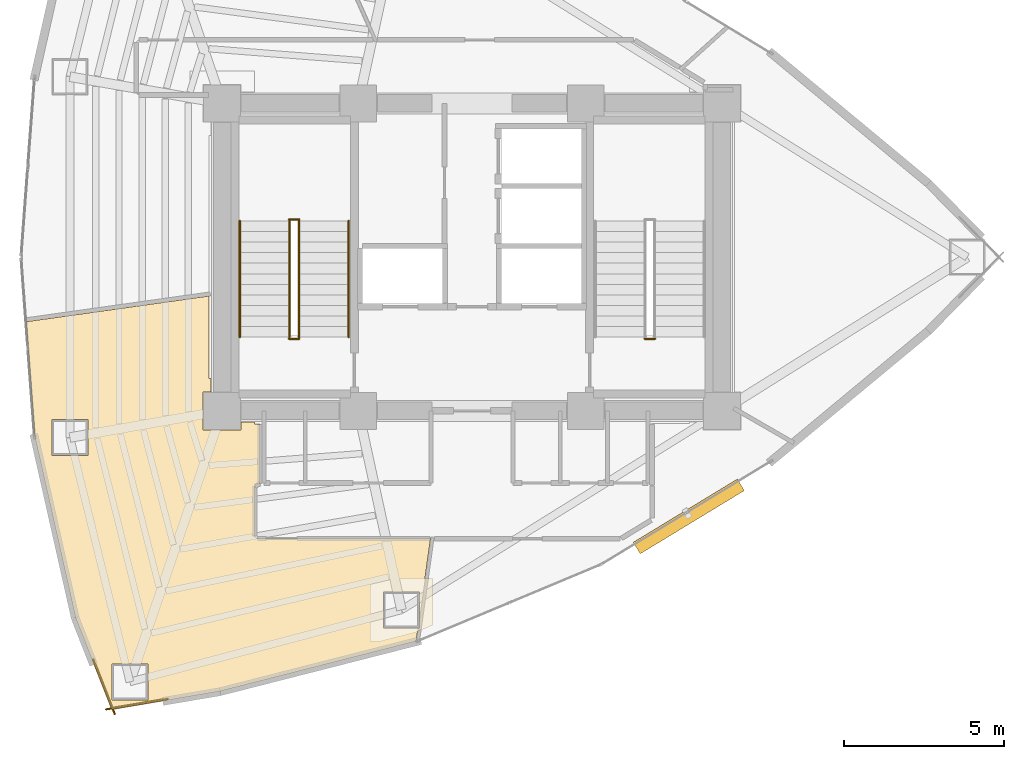
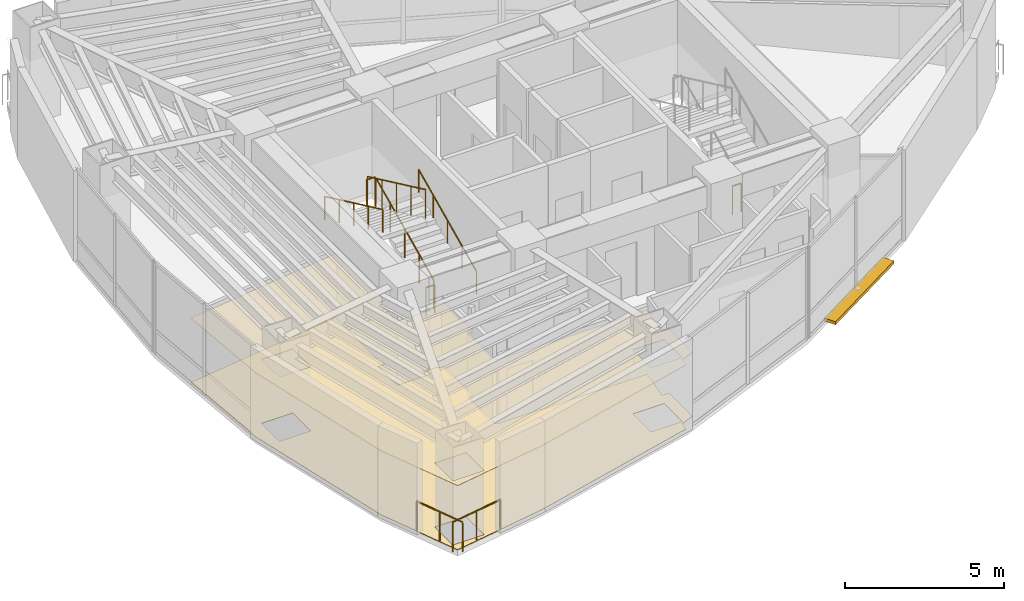
# One storey, part 13 of 15: 9 railings, 2 coverings, 1 shading device.
"""IFC4 building model written with IfcOpenShell, lengths in metres."""

from ifc_helpers import new_model, si_unit, direction, frame, origin, origin_2d, place, context, subcontext, project, spatial, polyline, rectangle, circle, outline, extrude, material, layer, layer_set, type_object, element, save


model = new_model("IFC4")

# Units and contexts
model_context = context("Model", 3, precision=1e-05, world=origin(), true_north=direction((0.0, 1.0)))
body_context = subcontext(model_context, "Body", "Model", "MODEL_VIEW")
ifc_project = project(units=[si_unit("LENGTHUNIT", "METRE"), si_unit("AREAUNIT", "SQUARE_METRE"), si_unit("VOLUMEUNIT", "CUBIC_METRE"), si_unit("PLANEANGLEUNIT", "RADIAN"), si_unit("MASSUNIT", "GRAM", prefix="KILO")], contexts=[model_context])

# Site, building, storey
site_placement = place(None, origin())
site = spatial("IfcSite", under=ifc_project, at=site_placement, CompositionType="ELEMENT")
building_placement = place(site_placement, origin())
building = spatial("IfcBuilding", under=site, at=building_placement, Name="Menara Vayukalpa", CompositionType="ELEMENT")
storey_placement = place(building_placement, frame((0.0, 0.0, 141.179931640625)))
storey = spatial("IfcBuildingStorey", under=building, at=storey_placement, Name="L35", CompositionType="ELEMENT", Elevation=141.179931640625)

# Coverings
ifc_material_1 = material(Name="Mineral Fibre Acoustic Ceiling Tile", Category="masonry")
ifc_layer_1 = layer(ifc_material_1, 0.02490234375)
ifc_layer_set_1 = layer_set([ifc_layer_1], Name="Mineral Fibre Acoustic Ceiling Tile")
covering_type_1 = type_object("IfcCoveringType", Name="COV-CLG1", PredefinedType="CEILING", material=ifc_layer_set_1)
covering_1_placement = place(storey_placement, frame((0.0, 0.0, 2.449951171875)))
element("IfcCovering", 1, at=covering_1_placement, inside=storey, type_object=covering_type_1, Name="L35 Operations Support Office Acoustic Ceiling", PredefinedType="CEILING", context=body_context, shape_type="SweptSolid", body=[
    extrude(outline(polyline([(24.3818359375, 10.514404296875), (23.896728515625, 10.3115234375), (23.85498046875, 10.013916015625), (23.854736328125, 10.012939453125), (23.8544921875, 10.01220703125), (23.85400390625, 10.01123046875), (23.853515625, 10.01025390625), (23.85302734375, 10.009521484375), (23.852294921875, 10.0087890625), (23.851806640625, 10.008056640625), (23.85107421875, 10.00732421875), (23.85009765625, 10.0068359375), (23.849365234375, 10.00634765625), (23.848388671875, 10.006103515625), (23.847412109375, 10.005615234375), (17.7314453125, 8.44580078125), (17.730712890625, 8.44580078125), (14.35986328125, 7.873291015625), (14.35888671875, 7.873291015625), (14.35791015625, 7.873291015625), (14.35693359375, 7.873291015625), (14.35595703125, 7.87353515625), (14.35498046875, 7.873779296875), (14.354248046875, 7.874267578125), (14.353271484375, 7.87451171875), (14.3525390625, 7.875), (14.351806640625, 7.875732421875), (14.35107421875, 7.87646484375), (14.350341796875, 7.877197265625), (14.349853515625, 7.8779296875), (14.349365234375, 7.87890625), (14.348876953125, 7.879638671875), (13.22607421875, 10.738525390625), (13.225830078125, 10.7392578125), (13.2255859375, 10.739990234375), (11.958984375, 16.368896484375), (11.958984375, 16.37060546875), (11.688720703125, 19.974853515625), (11.688720703125, 19.975830078125), (11.688720703125, 19.976806640625), (11.68896484375, 19.977783203125), (11.689208984375, 19.978759765625), (11.689453125, 19.979736328125), (11.68994140625, 19.980712890625), (11.6904296875, 19.9814453125), (11.691162109375, 19.982421875), (11.69189453125, 19.98291015625), (11.692626953125, 19.983642578125), (11.693359375, 19.984130859375), (11.6943359375, 19.984619140625), (11.6953125, 19.985107421875), (11.6962890625, 19.9853515625), (11.697265625, 19.985595703125), (17.378662109375, 20.783935546875), (17.379638671875, 20.7841796875), (17.380615234375, 20.7841796875), (17.381591796875, 20.783935546875), (17.382568359375, 20.78369140625), (17.383544921875, 20.783447265625), (17.384521484375, 20.782958984375), (17.385498046875, 20.782470703125), (17.38623046875, 20.781982421875), (17.386962890625, 20.78125), (17.3876953125, 20.780517578125), (17.38818359375, 20.77978515625), (17.388916015625, 20.77880859375), (17.38916015625, 20.778076171875), (17.389404296875, 20.777099609375), (17.389892578125, 20.776123046875), (17.389892578125, 20.775146484375), (17.389892578125, 20.774169921875), (17.389892578125, 18.2099609375), (17.449951171875, 18.2099609375), (17.449951171875, 17.7900390625), (17.2099609375, 17.7900390625), (17.2099609375, 16.610107421875), (18.389892578125, 16.610107421875), (18.389892578125, 16.85009765625), (18.81005859375, 16.85009765625), (18.81005859375, 16.7900390625), (18.97998046875, 16.7900390625), (18.98095703125, 16.7900390625), (18.98193359375, 16.789794921875), (18.98291015625, 16.78955078125), (18.98388671875, 16.789306640625), (18.984619140625, 16.788818359375), (18.985595703125, 16.788330078125), (18.986328125, 16.78759765625), (18.987060546875, 16.787109375), (18.98779296875, 16.786376953125), (18.98828125, 16.78564453125), (18.98876953125, 16.78466796875), (18.9892578125, 16.78369140625), (18.989501953125, 16.782958984375), (18.98974609375, 16.781982421875), (18.989990234375, 16.781005859375), (18.989990234375, 16.780029296875), (18.989990234375, 14.929931640625), (18.989990234375, 14.928955078125), (18.98974609375, 14.927978515625), (18.989501953125, 14.927001953125), (18.9892578125, 14.92626953125), (18.98876953125, 14.92529296875), (18.98828125, 14.92431640625), (18.98779296875, 14.923583984375), (18.987060546875, 14.9228515625), (18.986328125, 14.92236328125), (18.985595703125, 14.921630859375), (18.984619140625, 14.921142578125), (18.98388671875, 14.9208984375), (18.98291015625, 14.92041015625), (18.98193359375, 14.920166015625), (18.98095703125, 14.919921875), (18.97998046875, 14.919921875), (18.900390625, 14.919921875), (18.893310546875, 14.919677734375), (18.88623046875, 14.918701171875), (18.879638671875, 14.9169921875), (18.873291015625, 14.914794921875), (18.866943359375, 14.911865234375), (18.861083984375, 14.908203125), (18.85546875, 14.904052734375), (18.8505859375, 14.8994140625), (18.845947265625, 14.89453125), (18.841796875, 14.888916015625), (18.838134765625, 14.883056640625), (18.835205078125, 14.876708984375), (18.8330078125, 14.870361328125), (18.831298828125, 14.86376953125), (18.830322265625, 14.856689453125), (18.830078125, 14.849609375), (18.830078125, 13.290283203125), (18.830322265625, 13.283203125), (18.831298828125, 13.2763671875), (18.8330078125, 13.269775390625), (18.835205078125, 13.26318359375), (18.838134765625, 13.257080078125), (18.841796875, 13.251220703125), (18.845947265625, 13.24560546875), (18.8505859375, 13.240478515625), (18.85546875, 13.236083984375), (18.861083984375, 13.231689453125), (18.866943359375, 13.228271484375), (18.873291015625, 13.225341796875), (18.879638671875, 13.222900390625), (18.88623046875, 13.22119140625), (18.893310546875, 13.220458984375), (18.900390625, 13.219970703125), (24.2939453125, 13.219970703125), (24.294921875, 13.219970703125), (24.2958984375, 13.2197265625), (24.297119140625, 13.219482421875), (24.2978515625, 13.21923828125), (24.298828125, 13.21875), (24.2998046875, 13.21826171875), (24.300537109375, 13.217529296875), (24.30126953125, 13.216796875), (24.302001953125, 13.21630859375), (24.302490234375, 13.21533203125), (24.302978515625, 13.214599609375), (24.30322265625, 13.213623046875), (24.3037109375, 13.212646484375), (24.303955078125, 13.211669921875), (24.303955078125, 13.210693359375), (24.303955078125, 13.209716796875), (24.303955078125, 13.20849609375), (24.130126953125, 11.972900390625), (24.3818359375, 11.972900390625), (24.3818359375, 10.514404296875)]), holes=[polyline([(14.35546875, 9.304443359375), (14.35546875, 8.174560546875), (15.485595703125, 8.174560546875), (15.485595703125, 9.304443359375), (14.35546875, 9.304443359375)]), polyline([(13.614013671875, 16.93310546875), (12.484130859375, 16.93310546875), (12.484130859375, 15.80322265625), (13.614013671875, 15.80322265625), (13.614013671875, 16.93310546875)]), polyline([(23.9619140625, 11.552978515625), (22.831787109375, 11.552978515625), (22.831787109375, 10.423095703125), (23.9619140625, 10.423095703125), (23.9619140625, 11.552978515625)])]), origin(), (0.0, 0.0, 1.0), 0.025146484375),
])
ifc_material_2 = material(Name="Porcelain Stoneware Floor Tile", Category="masonry")
ifc_layer_2 = layer(ifc_material_2, 0.02001953125)
ifc_layer_set_2 = layer_set([ifc_layer_2], Name="Porcelain Stoneware Floor Tile")
covering_type_2 = type_object("IfcCoveringType", Name="COV-FLR1", PredefinedType="FLOORING", material=ifc_layer_set_2)
covering_2_placement = place(storey_placement, origin())
element("IfcCovering", 2, at=covering_2_placement, inside=storey, type_object=covering_type_2, Name="L35 Operations Support Office Porcelain Flooring", PredefinedType="FLOORING", context=body_context, shape_type="SweptSolid", body=[
    extrude(outline(polyline([(24.3818359375, 10.514404296875), (23.896728515625, 10.3115234375), (23.85498046875, 10.013916015625), (23.854736328125, 10.012939453125), (23.8544921875, 10.01220703125), (23.85400390625, 10.01123046875), (23.853515625, 10.01025390625), (23.85302734375, 10.009521484375), (23.852294921875, 10.0087890625), (23.851806640625, 10.008056640625), (23.85107421875, 10.00732421875), (23.85009765625, 10.0068359375), (23.849365234375, 10.00634765625), (23.848388671875, 10.006103515625), (23.847412109375, 10.005615234375), (17.7314453125, 8.44580078125), (17.730712890625, 8.44580078125), (14.35986328125, 7.873291015625), (14.35888671875, 7.873291015625), (14.35791015625, 7.873291015625), (14.35693359375, 7.873291015625), (14.35595703125, 7.87353515625), (14.35498046875, 7.873779296875), (14.354248046875, 7.874267578125), (14.353271484375, 7.87451171875), (14.3525390625, 7.875), (14.351806640625, 7.875732421875), (14.35107421875, 7.87646484375), (14.350341796875, 7.877197265625), (14.349853515625, 7.8779296875), (14.349365234375, 7.87890625), (14.348876953125, 7.879638671875), (13.22607421875, 10.738525390625), (13.225830078125, 10.7392578125), (13.2255859375, 10.739990234375), (11.958984375, 16.368896484375), (11.958984375, 16.37060546875), (11.688720703125, 19.974853515625), (11.688720703125, 19.975830078125), (11.688720703125, 19.976806640625), (11.68896484375, 19.977783203125), (11.689208984375, 19.978759765625), (11.689453125, 19.979736328125), (11.68994140625, 19.980712890625), (11.6904296875, 19.9814453125), (11.691162109375, 19.982421875), (11.69189453125, 19.98291015625), (11.692626953125, 19.983642578125), (11.693359375, 19.984130859375), (11.6943359375, 19.984619140625), (11.6953125, 19.985107421875), (11.6962890625, 19.9853515625), (11.697265625, 19.985595703125), (17.378662109375, 20.783935546875), (17.379638671875, 20.7841796875), (17.380615234375, 20.7841796875), (17.381591796875, 20.783935546875), (17.382568359375, 20.78369140625), (17.383544921875, 20.783447265625), (17.384521484375, 20.782958984375), (17.385498046875, 20.782470703125), (17.38623046875, 20.781982421875), (17.386962890625, 20.78125), (17.3876953125, 20.780517578125), (17.38818359375, 20.77978515625), (17.388916015625, 20.77880859375), (17.38916015625, 20.778076171875), (17.389404296875, 20.777099609375), (17.389892578125, 20.776123046875), (17.389892578125, 20.775146484375), (17.389892578125, 20.774169921875), (17.389892578125, 18.2099609375), (17.449951171875, 18.2099609375), (17.449951171875, 17.7900390625), (17.2099609375, 17.7900390625), (17.2099609375, 16.610107421875), (18.389892578125, 16.610107421875), (18.389892578125, 16.85009765625), (18.81005859375, 16.85009765625), (18.81005859375, 16.7900390625), (18.97998046875, 16.7900390625), (18.98095703125, 16.7900390625), (18.98193359375, 16.789794921875), (18.98291015625, 16.78955078125), (18.98388671875, 16.789306640625), (18.984619140625, 16.788818359375), (18.985595703125, 16.788330078125), (18.986328125, 16.78759765625), (18.987060546875, 16.787109375), (18.98779296875, 16.786376953125), (18.98828125, 16.78564453125), (18.98876953125, 16.78466796875), (18.9892578125, 16.78369140625), (18.989501953125, 16.782958984375), (18.98974609375, 16.781982421875), (18.989990234375, 16.781005859375), (18.989990234375, 16.780029296875), (18.989990234375, 14.929931640625), (18.989990234375, 14.928955078125), (18.98974609375, 14.927978515625), (18.989501953125, 14.927001953125), (18.9892578125, 14.92626953125), (18.98876953125, 14.92529296875), (18.98828125, 14.92431640625), (18.98779296875, 14.923583984375), (18.987060546875, 14.9228515625), (18.986328125, 14.92236328125), (18.985595703125, 14.921630859375), (18.984619140625, 14.921142578125), (18.98388671875, 14.9208984375), (18.98291015625, 14.92041015625), (18.98193359375, 14.920166015625), (18.98095703125, 14.919921875), (18.97998046875, 14.919921875), (18.900390625, 14.919921875), (18.893310546875, 14.919677734375), (18.88623046875, 14.918701171875), (18.879638671875, 14.9169921875), (18.873291015625, 14.914794921875), (18.866943359375, 14.911865234375), (18.861083984375, 14.908203125), (18.85546875, 14.904052734375), (18.8505859375, 14.8994140625), (18.845947265625, 14.89453125), (18.841796875, 14.888916015625), (18.838134765625, 14.883056640625), (18.835205078125, 14.876708984375), (18.8330078125, 14.870361328125), (18.831298828125, 14.86376953125), (18.830322265625, 14.856689453125), (18.830078125, 14.849609375), (18.830078125, 13.290283203125), (18.830322265625, 13.283203125), (18.831298828125, 13.2763671875), (18.8330078125, 13.269775390625), (18.835205078125, 13.26318359375), (18.838134765625, 13.257080078125), (18.841796875, 13.251220703125), (18.845947265625, 13.24560546875), (18.8505859375, 13.240478515625), (18.85546875, 13.236083984375), (18.861083984375, 13.231689453125), (18.866943359375, 13.228271484375), (18.873291015625, 13.225341796875), (18.879638671875, 13.222900390625), (18.88623046875, 13.22119140625), (18.893310546875, 13.220458984375), (18.900390625, 13.219970703125), (24.2939453125, 13.219970703125), (24.294921875, 13.219970703125), (24.2958984375, 13.2197265625), (24.297119140625, 13.219482421875), (24.2978515625, 13.21923828125), (24.298828125, 13.21875), (24.2998046875, 13.21826171875), (24.300537109375, 13.217529296875), (24.30126953125, 13.216796875), (24.302001953125, 13.21630859375), (24.302490234375, 13.21533203125), (24.302978515625, 13.214599609375), (24.30322265625, 13.213623046875), (24.3037109375, 13.212646484375), (24.303955078125, 13.211669921875), (24.303955078125, 13.210693359375), (24.303955078125, 13.209716796875), (24.303955078125, 13.20849609375), (24.130126953125, 11.972900390625), (24.3818359375, 11.972900390625), (24.3818359375, 10.514404296875)]), holes=[polyline([(14.35546875, 9.304443359375), (14.35546875, 8.174560546875), (15.485595703125, 8.174560546875), (15.485595703125, 9.304443359375), (14.35546875, 9.304443359375)]), polyline([(13.614013671875, 16.93310546875), (12.484130859375, 16.93310546875), (12.484130859375, 15.80322265625), (13.614013671875, 15.80322265625), (13.614013671875, 16.93310546875)]), polyline([(23.9619140625, 11.552978515625), (22.831787109375, 11.552978515625), (22.831787109375, 10.423095703125), (23.9619140625, 10.423095703125), (23.9619140625, 11.552978515625)])]), origin(), (0.0, 0.0, 1.0), 0.02001953125),
])

# Railings
ifc_material_3 = material(Name="Laminated Glass and Stainless Steel 316 Guardrail", Category="steel")
railing_type_1 = type_object("IfcRailingType", Name="RLG-EXT115", PredefinedType="GUARDRAIL", material=ifc_material_3)
railing_1_placement = place(storey_placement, frame((13.77880859375, 9.440673828125, 0.0)))
element("IfcRailing", 3, at=railing_1_placement, inside=storey, type_object=railing_type_1, Name="L35 Column Corner Spandrel Guardrail 13-1", PredefinedType="GUARDRAIL", context=body_context, shape_type="SweptSolid", body=[
    extrude(circle(Radius=0.02392578125, at=origin_2d()), frame((0.0, 0.0, 1.1259765625), z_axis=(0.365496165744, -0.93081284522, 0.0), x_axis=(0.93081284522, 0.365496165744, 0.0)), (0.0, 0.0, 1.0), 1.837646484375),
    extrude(circle(Radius=0.02099609375, at=origin_2d()), origin(), (0.0, 0.0, 1.0), 1.101806640625),
    extrude(circle(Radius=0.02099609375, at=origin_2d()), frame((0.3359375, -0.855224609375, 0.0)), (0.0, 0.0, 1.0), 1.101806640625),
    extrude(circle(Radius=0.02099609375, at=origin_2d()), frame((0.671630859375, -1.71044921875, 0.0)), (0.0, 0.0, 1.0), 1.101806640625),
])
railing_2_placement = place(storey_placement, frame((14.179443359375, 7.88330078125, 0.0)))
element("IfcRailing", 4, at=railing_2_placement, inside=storey, type_object=railing_type_1, Name="L35 Column Corner Spandrel Guardrail 14-1", PredefinedType="GUARDRAIL", context=body_context, shape_type="SweptSolid", body=[
    extrude(circle(Radius=0.02392578125, at=origin_2d()), frame((0.0, 0.0, 1.1259765625), z_axis=(0.985886955751, 0.167412396435, 0.0), x_axis=(-0.167412396435, 0.985886955751, 0.0)), (0.0, 0.0, 1.0), 1.94384765625),
    extrude(circle(Radius=0.02099609375, at=origin_2d()), origin(), (0.0, 0.0, 1.0), 1.101806640625),
    extrude(circle(Radius=0.02099609375, at=origin_2d()), frame((0.958251953125, 0.16259765625, 0.0)), (0.0, 0.0, 1.0), 1.101806640625),
    extrude(circle(Radius=0.02099609375, at=origin_2d()), frame((1.91650390625, 0.325439453125, 0.0)), (0.0, 0.0, 1.0), 1.101806640625),
])
ifc_material_4 = material(Name="Powder-Coated Galvanised Steel Guardrail", Category="steel")
railing_type_2 = type_object("IfcRailingType", Name="RLG-STG110", PredefinedType="GUARDRAIL", material=ifc_material_4)
railing_3_placement = place(storey_placement, frame((20.199951171875, 19.5, 0.155029296875)))
element("IfcRailing", 5, at=railing_3_placement, inside=storey, type_object=railing_type_2, Name="L35 ST-1 stair guard 1", PredefinedType="GUARDRAIL", context=body_context, shape_type="SweptSolid", body=[
    extrude(circle(Radius=0.02392578125, at=origin_2d()), frame((0.0, 0.0, 1.09619140625), z_axis=(0.0, 0.90511648382, 0.425163675209), x_axis=(-1.0, 0.0, 0.0)), (0.0, 0.0, 1.0), 4.010498046875),
    extrude(circle(Radius=0.02099609375, at=origin_2d()), origin(), (0.0, 0.0, 1.0), 1.072021484375),
    extrude(circle(Radius=0.02099609375, at=origin_2d()), frame((0.0, 0.907470703125, 0.42626953125)), (0.0, 0.0, 1.0), 1.072021484375),
    extrude(circle(Radius=0.02099609375, at=origin_2d()), frame((0.0, 1.81494140625, 0.8525390625)), (0.0, 0.0, 1.0), 1.072021484375),
    extrude(circle(Radius=0.02099609375, at=origin_2d()), frame((0.0, 2.722412109375, 1.27880859375)), (0.0, 0.0, 1.0), 1.072021484375),
    extrude(circle(Radius=0.02099609375, at=origin_2d()), frame((0.0, 3.6298828125, 1.705078125)), (0.0, 0.0, 1.0), 1.072021484375),
])
railing_4_placement = place(storey_placement, frame((20.2099609375, 23.179931640625, 1.860107421875)))
element("IfcRailing", 6, at=railing_4_placement, inside=storey, type_object=railing_type_2, Name="L35 ST-1 stair guard 2", PredefinedType="GUARDRAIL", context=body_context, shape_type="SweptSolid", body=[
    extrude(circle(Radius=0.02392578125, at=origin_2d()), frame((0.0, 0.0, 1.09619140625), z_axis=(-1.0, 0.0, 0.0), x_axis=(0.0, -1.0, 0.0)), (0.0, 0.0, 1.0), 0.320068359375),
    extrude(circle(Radius=0.02099609375, at=origin_2d()), origin(), (0.0, 0.0, 1.0), 1.072021484375),
    extrude(circle(Radius=0.02099609375, at=origin_2d()), frame((-0.320068359375, 0.0, 0.0)), (0.0, 0.0, 1.0), 1.072021484375),
])
railing_5_placement = place(storey_placement, frame((19.89990234375, 23.1298828125, 2.01513671875)))
element("IfcRailing", 7, at=railing_5_placement, inside=storey, type_object=railing_type_2, Name="L35 ST-1 stair guard 3", PredefinedType="GUARDRAIL", context=body_context, shape_type="SweptSolid", body=[
    extrude(circle(Radius=0.02392578125, at=origin_2d()), frame((0.0, 0.0, 1.09619140625), z_axis=(0.0, -0.90513990983, 0.425113800803), x_axis=(1.0, 0.0, 0.0)), (0.0, 0.0, 1.0), 4.01025390625),
    extrude(circle(Radius=0.02099609375, at=origin_2d()), origin(), (0.0, 0.0, 1.0), 1.072021484375),
    extrude(circle(Radius=0.02099609375, at=origin_2d()), frame((0.0, -0.907470703125, 0.42626953125)), (0.0, 0.0, 1.0), 1.072021484375),
    extrude(circle(Radius=0.02099609375, at=origin_2d()), frame((0.0, -1.81494140625, 0.8525390625)), (0.0, 0.0, 1.0), 1.072021484375),
    extrude(circle(Radius=0.02099609375, at=origin_2d()), frame((0.0, -2.722412109375, 1.278564453125)), (0.0, 0.0, 1.0), 1.072021484375),
    extrude(circle(Radius=0.02099609375, at=origin_2d()), frame((0.0, -3.6298828125, 1.704833984375)), (0.0, 0.0, 1.0), 1.072021484375),
])
for number, where, name in (
    (8, (20.2099609375, 19.449951171875, 0.0), "L35 ST-1 stair guard 4"),
    (9, (31.31005859375, 19.449951171875, 0.0), "L35 ST-2 stair guard 4"),
):
    element("IfcRailing", number, at=place(storey_placement, frame(where)), inside=storey, type_object=railing_type_2, Name=name, PredefinedType="GUARDRAIL", context=body_context, shape_type="SweptSolid", body=[
        extrude(circle(Radius=0.02392578125, at=origin_2d()), frame((0.0, 0.0, 1.09619140625), z_axis=(-1.0, 0.0, 0.0), x_axis=(0.0, -1.0, 0.0)), (0.0, 0.0, 1.0), 0.320068359375),
        extrude(circle(Radius=0.02099609375, at=origin_2d()), origin(), (0.0, 0.0, 1.0), 1.072021484375),
        extrude(circle(Radius=0.02099609375, at=origin_2d()), frame((-0.320068359375, 0.0, 0.0)), (0.0, 0.0, 1.0), 1.072021484375),
    ])
ifc_material_5 = material(Name="Stainless Steel 316 Tubular Handrail", Category="steel")
railing_type_3 = type_object("IfcRailingType", Name="RLG-STH090", PredefinedType="HANDRAIL", material=ifc_material_5)
railing_6_placement = place(storey_placement, frame((21.75, 19.5, 0.155029296875)))
element("IfcRailing", 10, at=railing_6_placement, inside=storey, type_object=railing_type_3, Name="L35 ST-1 stair handrail 1", PredefinedType="HANDRAIL", context=body_context, shape_type="SweptSolid", body=[
    extrude(circle(Radius=0.02392578125, at=origin_2d()), frame((0.0, 0.0, 0.8759765625), z_axis=(0.0, 0.90511648382, 0.425163675209), x_axis=(-1.0, 0.0, 0.0)), (0.0, 0.0, 1.0), 4.010498046875),
    extrude(circle(Radius=0.02099609375, at=origin_2d()), origin(), (0.0, 0.0, 1.0), 0.851806640625),
    extrude(circle(Radius=0.02099609375, at=origin_2d()), frame((0.0, 0.907470703125, 0.42626953125)), (0.0, 0.0, 1.0), 0.851806640625),
    extrude(circle(Radius=0.02099609375, at=origin_2d()), frame((0.0, 1.81494140625, 0.8525390625)), (0.0, 0.0, 1.0), 0.851806640625),
    extrude(circle(Radius=0.02099609375, at=origin_2d()), frame((0.0, 2.722412109375, 1.27880859375)), (0.0, 0.0, 1.0), 0.851806640625),
    extrude(circle(Radius=0.02099609375, at=origin_2d()), frame((0.0, 3.6298828125, 1.705078125)), (0.0, 0.0, 1.0), 0.851806640625),
])
railing_7_placement = place(storey_placement, frame((18.35009765625, 23.1298828125, 2.01513671875)))
element("IfcRailing", 11, at=railing_7_placement, inside=storey, type_object=railing_type_3, Name="L35 ST-1 stair handrail 2", PredefinedType="HANDRAIL", context=body_context, shape_type="SweptSolid", body=[
    extrude(circle(Radius=0.02392578125, at=origin_2d()), frame((0.0, 0.0, 0.8759765625), z_axis=(0.0, -0.90513990983, 0.425113800803), x_axis=(1.0, 0.0, 0.0)), (0.0, 0.0, 1.0), 4.01025390625),
    extrude(circle(Radius=0.02099609375, at=origin_2d()), origin(), (0.0, 0.0, 1.0), 0.851806640625),
    extrude(circle(Radius=0.02099609375, at=origin_2d()), frame((0.0, -0.907470703125, 0.42626953125)), (0.0, 0.0, 1.0), 0.851806640625),
    extrude(circle(Radius=0.02099609375, at=origin_2d()), frame((0.0, -1.81494140625, 0.8525390625)), (0.0, 0.0, 1.0), 0.851806640625),
    extrude(circle(Radius=0.02099609375, at=origin_2d()), frame((0.0, -2.722412109375, 1.278564453125)), (0.0, 0.0, 1.0), 0.851806640625),
    extrude(circle(Radius=0.02099609375, at=origin_2d()), frame((0.0, -3.6298828125, 1.704833984375)), (0.0, 0.0, 1.0), 0.851806640625),
])

# Shading device
ifc_material_6 = material(Name="Glazed Terracotta Ceramic Baguette Extrusion", Category="masonry")
ifc_layer_3 = layer(ifc_material_6, 0.1201171875)
ifc_layer_set_3 = layer_set([ifc_layer_3], Name="Glazed Terracotta Ceramic Baguette Extrusion")
shading_device_type = type_object("IfcShadingDeviceType", Name="SHD-SS1", PredefinedType="USERDEFINED", material=ifc_layer_set_3)
shading_device_placement = place(storey_placement, frame((32.368408203125, 13.90478515625, -0.10009765625), z_axis=(0.0, 0.0, 1.0), x_axis=(0.854658248158, 0.519190984952, 0.0)))
element("IfcShadingDevice", 12, at=shading_device_placement, inside=storey, type_object=shading_device_type, Name="L35 Horizontal Terracotta Sunshade Band 17", ObjectType="SUNSHADE", PredefinedType="USERDEFINED", context=body_context, shape_type="SweptSolid", body=[
    extrude(rectangle(XDim=3.800048828125, YDim=0.419921875, at=origin_2d()), origin(), (0.0, 0.0, 1.0), 0.1201171875),
])

save(model, "model.ifc")
